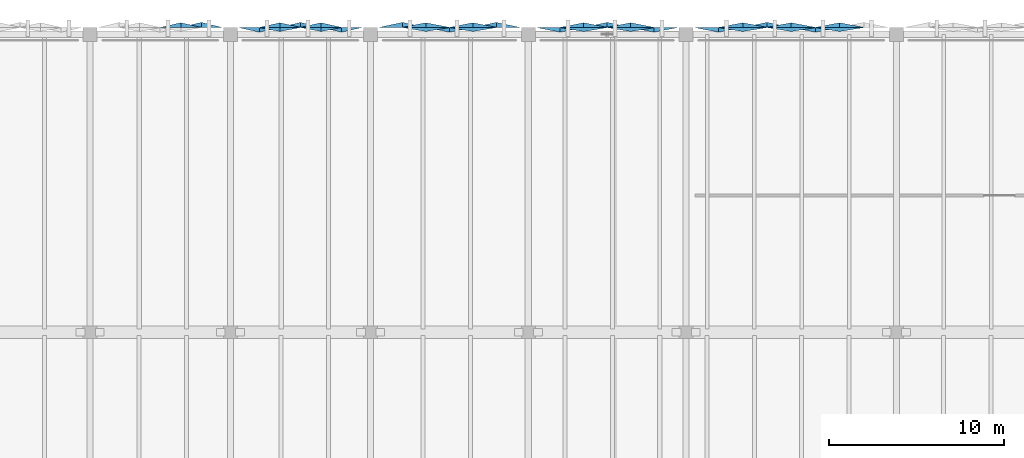
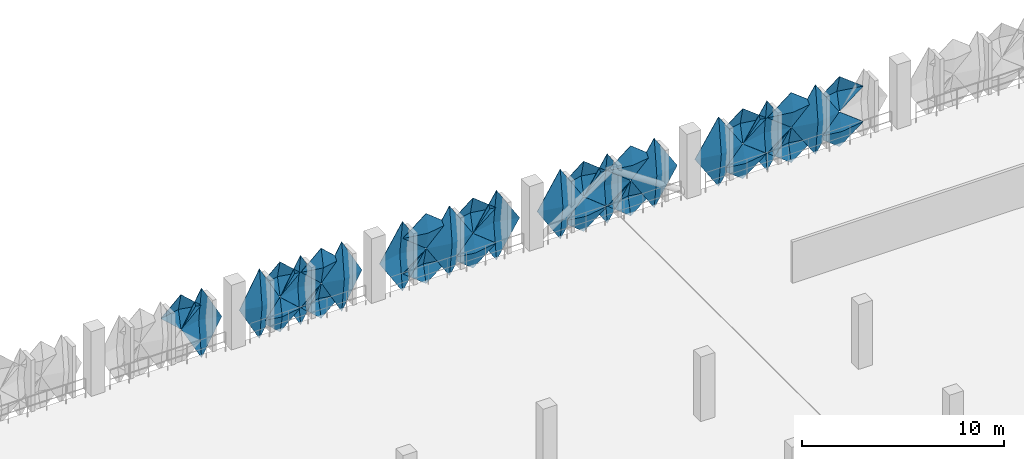
# One storey, part 79 of 96: 32 plates.
"""IFC4 building model written with IfcOpenShell, lengths in metres."""

import ifcopenshell
import ifcopenshell.guid

model = None  # the IFC model being written
_history = None  # IfcOwnerHistory: only IFC2X3 demands one
_inside = {}  # id of a spatial element -> (the spatial element, [elements in it])
_under = {}  # id of a project, library or spatial element -> (it, [spatial elements below it])
_declared = {}  # id of a project -> (the project, [libraries it declares])
_typed = {}  # id of a type object -> (the type object, [elements of that type])
_made_of = {}  # id of a material, layer set ... -> (it, [elements and type objects made of it])


def new_model(schema):
    """Start an empty IFC model of exactly this schema.

    Asked for "IFC4X3", IfcOpenShell would pick the latest addendum, in which some entities
    have other attributes; the version numbers below select the first issue.
    IFC2X3 requires an IfcOwnerHistory on every rooted entity: one is made here for all.
    """
    global model, _history
    if schema == "IFC4X3":
        model = ifcopenshell.file(schema_version=(4, 3, 0, 0))
    else:
        model = ifcopenshell.file(schema=schema)
    _inside.clear()
    _under.clear()
    _declared.clear()
    _typed.clear()
    _made_of.clear()
    _history = None
    if model.schema == "IFC2X3":
        org = make("IfcOrganization", Name="unknown")
        user = make(
            "IfcPersonAndOrganization",
            ThePerson=make("IfcPerson", FamilyName="unknown"),
            TheOrganization=org,
        )
        app = make(
            "IfcApplication",
            ApplicationDeveloper=org,
            Version="unknown",
            ApplicationFullName="unknown",
            ApplicationIdentifier="unknown",
        )
        _history = make(
            "IfcOwnerHistory",
            OwningUser=user,
            OwningApplication=app,
            ChangeAction="ADDED",
            CreationDate=0,
        )
    return model


def make(cls, **values):
    """One entity of the class cls with the attributes given. An attribute that is None is left unset."""
    return model.create_entity(
        cls, **{name: value for name, value in values.items() if value is not None}
    )


def rooted(cls, **values):
    """An entity with a GlobalId (a new one), such as an element, a storey or a relation."""
    return make(cls, GlobalId=ifcopenshell.guid.new(), OwnerHistory=_history, **values)


def si_unit(unit_type, name, prefix=None):
    """IfcSIUnit, for example si_unit("LENGTHUNIT", "METRE", prefix="MILLI")."""
    return make("IfcSIUnit", UnitType=unit_type, Prefix=prefix, Name=name)


def derived_unit(unit_type, elements):
    """IfcDerivedUnit: a product of units, each with its exponent."""
    return make(
        "IfcDerivedUnit",
        Elements=[
            make("IfcDerivedUnitElement", Unit=unit, Exponent=power)
            for unit, power in elements
        ],
        UnitType=unit_type,
    )


def assignment(units):
    """IfcUnitAssignment: the units of a project."""
    return None if units is None else make("IfcUnitAssignment", Units=units)


def point(xyz):
    """IfcCartesianPoint."""
    return None if xyz is None else make("IfcCartesianPoint", Coordinates=xyz)


def direction(xyz):
    """IfcDirection."""
    return None if xyz is None else make("IfcDirection", DirectionRatios=xyz)


def frame(location, z_axis=None, x_axis=None):
    """IfcAxis2Placement3D, a coordinate frame: its origin and axes. An axis left out is left unset."""
    return make(
        "IfcAxis2Placement3D",
        Location=point(location),
        Axis=direction(z_axis),
        RefDirection=direction(x_axis),
    )


def origin():
    """The frame at (0, 0, 0) with its axes left unset."""
    return frame((0.0, 0.0, 0.0))


def place(relative_to, where):
    """IfcLocalPlacement: puts the frame where relative to a parent placement (None: the world)."""
    return make(
        "IfcLocalPlacement", PlacementRelTo=relative_to, RelativePlacement=where
    )


def context(
    kind, dimensions, precision=None, world=None, true_north=None, identifier=None
):
    """IfcGeometricRepresentationContext, for example the 3D "Model" context."""
    return make(
        "IfcGeometricRepresentationContext",
        ContextIdentifier=identifier,
        ContextType=kind,
        CoordinateSpaceDimension=dimensions,
        Precision=precision,
        WorldCoordinateSystem=world,
        TrueNorth=true_north,
    )


def subcontext(parent, identifier, kind, view, scale=None):
    """IfcGeometricRepresentationSubContext, for example "Body" below "Model"."""
    return make(
        "IfcGeometricRepresentationSubContext",
        ContextIdentifier=identifier,
        ContextType=kind,
        ParentContext=parent,
        TargetScale=scale,
        TargetView=view,
    )


def project(units=None, contexts=None):
    """IfcProject with its units and contexts."""
    return rooted(
        "IfcProject",
        Name="project",
        RepresentationContexts=contexts,
        UnitsInContext=assignment(units),
    )


def spatial(cls, under=None, at=None, **own):
    """A site, building, storey or space (cls), placed at a placement, below another one or the project."""
    s = rooted(cls, ObjectPlacement=at, **own)
    if under is not None:
        _under.setdefault(under.id(), (under, []))[1].append(s)
    return s


def point_list(points):
    """IfcCartesianPointList2D or 3D."""
    cls = (
        "IfcCartesianPointList2D" if len(points[0]) == 2 else "IfcCartesianPointList3D"
    )
    return make(cls, CoordList=points)


def polygons(points, faces, closed=None, point_numbers=None):
    """IfcPolygonalFaceSet: a face is its outer loop, then its inner loops; points numbered from 1."""
    made = []
    for loops in faces:
        if len(loops) == 1:
            made.append(make("IfcIndexedPolygonalFace", CoordIndex=loops[0]))
        else:
            made.append(
                make(
                    "IfcIndexedPolygonalFaceWithVoids",
                    CoordIndex=loops[0],
                    InnerCoordIndices=loops[1:],
                )
            )
    return make(
        "IfcPolygonalFaceSet",
        Coordinates=point_list(points),
        Closed=closed,
        Faces=made,
        PnIndex=point_numbers,
    )


def shape(context_of_items, identifier, shape_type, items):
    """IfcShapeRepresentation: the items that make up one representation, for example the "Body"."""
    return make(
        "IfcShapeRepresentation",
        ContextOfItems=context_of_items,
        RepresentationIdentifier=identifier,
        RepresentationType=shape_type,
        Items=items,
    )


def material(Name=None, Category=None):
    """IfcMaterial."""
    return make("IfcMaterial", Name=Name, Category=Category)


def layer(
    of_material, thickness, ventilated=None, Name=None, Category=None, Priority=None
):
    """IfcMaterialLayer: one layer of a wall or slab, of a material (None: an air gap)."""
    return make(
        "IfcMaterialLayer",
        Material=of_material,
        LayerThickness=thickness,
        IsVentilated=ventilated,
        Name=Name,
        Category=Category,
        Priority=Priority,
    )


def layer_set(layers, Name=None):
    """IfcMaterialLayerSet."""
    return make("IfcMaterialLayerSet", MaterialLayers=layers, LayerSetName=Name)


def made_of(thing, what):
    """Note that an element or type object is made of a material, layer set ...; save() writes the relation."""
    if what is not None:
        _made_of.setdefault(what.id(), (what, []))[1].append(thing)
    return thing


def type_object(cls, material=None, **own):
    """A type object (cls), such as IfcWallType, which elements share."""
    return made_of(rooted(cls, **own), material)


def element(
    cls,
    number,
    at=None,
    inside=None,
    cuts=None,
    type_object=None,
    material=None,
    context=None,
    identifier="Body",
    shape_type=None,
    held_by="IfcProductDefinitionShape",
    body=None,
    shapes=None,
    **own,
):
    """One element of the class cls, such as IfcWall. Its Tag is "e" and its number.

    at: its placement. inside: the storey or other place that contains it. cuts: it is an
    opening in that element (IfcRelVoidsElement). A single representation is given by context,
    identifier, shape_type and body (its items); several are given by shapes. held_by: the class
    of the entity that holds the representations. save() writes the other relations.
    """
    e = rooted(cls, Tag="e%d" % number, ObjectPlacement=at, **own)
    if body is not None:
        shapes = [shape(context, identifier, shape_type, body)]
    if shapes is not None:
        e.Representation = make(held_by, Representations=shapes)
    if inside is not None:
        _inside.setdefault(inside.id(), (inside, []))[1].append(e)
    if cuts is not None:
        rooted(
            "IfcRelVoidsElement", RelatingBuildingElement=cuts, RelatedOpeningElement=e
        )
    if type_object is not None:
        _typed.setdefault(type_object.id(), (type_object, []))[1].append(e)
    return made_of(e, material)


def aggregate(whole, parts):
    """IfcRelAggregates: a whole, such as a stair, and the parts it consists of."""
    return rooted("IfcRelAggregates", RelatingObject=whole, RelatedObjects=parts)


def save(model, path):
    """Write the relations noted so far, then the file.

    IfcRelAggregates (storeys below a building ...), IfcRelContainedInSpatialStructure (elements
    in a storey), IfcRelDefinesByType, IfcRelAssociatesMaterial and IfcRelDeclares: one each for
    every whole, place, type object, material and project.
    """
    for whole, parts in _under.values():
        aggregate(whole, parts)
    for where, things in _inside.values():
        rooted(
            "IfcRelContainedInSpatialStructure",
            RelatedElements=things,
            RelatingStructure=where,
        )
    for kind, things in _typed.values():
        rooted("IfcRelDefinesByType", RelatedObjects=things, RelatingType=kind)
    for what, things in _made_of.values():
        rooted("IfcRelAssociatesMaterial", RelatedObjects=things, RelatingMaterial=what)
    for by, libraries in _declared.values():
        rooted("IfcRelDeclares", RelatingContext=by, RelatedDefinitions=libraries)
    model.write(path)


model = new_model("IFC4")

# Units and contexts
model_context = context("Model", 3, precision=1e-05, world=origin(), true_north=direction((0.0, 1.0)))
body_context = subcontext(model_context, "Body", "Model", "MODEL_VIEW")
ifc_project = project(units=[si_unit("LENGTHUNIT", "METRE"), si_unit("AREAUNIT", "SQUARE_METRE"), si_unit("VOLUMEUNIT", "CUBIC_METRE"), si_unit("PLANEANGLEUNIT", "RADIAN"), si_unit("MASSUNIT", "GRAM", prefix="KILO"), si_unit("THERMODYNAMICTEMPERATUREUNIT", "KELVIN"), derived_unit("THERMALTRANSMITTANCEUNIT", [(si_unit("POWERUNIT", "WATT"), 1), (si_unit("AREAUNIT", "SQUARE_METRE"), -1), (si_unit("THERMODYNAMICTEMPERATUREUNIT", "KELVIN"), -1)])], contexts=[model_context])

# Site, building, storey
site_placement = place(None, origin())
site = spatial("IfcSite", under=ifc_project, at=site_placement, CompositionType="ELEMENT")
building_placement = place(site_placement, origin())
building = spatial("IfcBuilding", under=site, at=building_placement, Name="Haiyu Intermodal Mobility Hub", CompositionType="ELEMENT")
storey_placement = place(building_placement, frame((0.0, 0.0, 9.5)))
storey = spatial("IfcBuildingStorey", under=building, at=storey_placement, Name="L02", CompositionType="ELEMENT", Elevation=9.5)

# Plates
ifc_material = material(Name="Anodised aluminium 6063-T6", Category="aluminium")
ifc_layer_1 = layer(ifc_material, 0.01806640625)
ifc_layer_set_1 = layer_set([ifc_layer_1], Name="Anodised aluminium 6063-T6")
plate_type_1 = type_object("IfcPlateType", Name="PLT-FC01", PredefinedType="USERDEFINED", material=ifc_layer_set_1)
plate_1_placement = place(storey_placement, origin())
element("IfcPlate", 1, at=plate_1_placement, inside=storey, type_object=plate_type_1, Name="PLT-PYR-0224", ObjectType="FACADE CASSETTE", PredefinedType="USERDEFINED", context=body_context, shape_type="Tessellation", body=[
    polygons([(79.820068359375, 148.39990234375, -0.510009765625), (78.5, 148.39990234375, 1.60009765625), (79.820068359375, 148.39990234375, 3.7099609375), (81.139892578125, 148.39990234375, 1.60009765625), (79.820068359375, 148.679931640625, 1.60009765625), (79.820068359375, 148.3779296875, -0.510009765625), (78.5, 148.3779296875, 1.60009765625), (79.820068359375, 148.3779296875, 3.7099609375), (81.139892578125, 148.3779296875, 1.60009765625), (79.820068359375, 148.657958984375, 1.60009765625)], [[[1, 2, 5]], [[2, 3, 5]], [[3, 4, 5]], [[4, 1, 5]], [[7, 6, 10]], [[8, 7, 10]], [[9, 8, 10]], [[6, 9, 10]], [[1, 6, 7, 2]], [[2, 7, 8, 3]], [[3, 8, 9, 4]], [[4, 9, 6, 1]]], closed=True),
])
plate_2_placement = place(storey_placement, origin())
element("IfcPlate", 2, at=plate_2_placement, inside=storey, type_object=plate_type_1, Name="PLT-PYR-0297", ObjectType="FACADE CASSETTE", PredefinedType="USERDEFINED", context=body_context, shape_type="Tessellation", body=[
    polygons([(100.6201171875, 148.39990234375, -0.510009765625), (99.260009765625, 148.39990234375, 1.60009765625), (100.6201171875, 148.39990234375, 3.7099609375), (101.97998046875, 148.39990234375, 1.60009765625), (100.6201171875, 148.679931640625, 1.60009765625), (100.6201171875, 148.3779296875, -0.510009765625), (99.260009765625, 148.3779296875, 1.60009765625), (100.6201171875, 148.3779296875, 3.7099609375), (101.97998046875, 148.3779296875, 1.60009765625), (100.6201171875, 148.657958984375, 1.60009765625)], [[[1, 2, 5]], [[2, 3, 5]], [[3, 4, 5]], [[4, 1, 5]], [[7, 6, 10]], [[8, 7, 10]], [[9, 8, 10]], [[6, 9, 10]], [[1, 6, 7, 2]], [[2, 7, 8, 3]], [[3, 8, 9, 4]], [[4, 9, 6, 1]]], closed=True),
])
ifc_layer_2 = layer(ifc_material, 0.02001953125)
ifc_layer_set_2 = layer_set([ifc_layer_2], Name="Anodised aluminium 6063-T6")
plate_type_2 = type_object("IfcPlateType", Name="PLT-FC02", PredefinedType="USERDEFINED", material=ifc_layer_set_2)
plate_3_placement = place(storey_placement, origin())
element("IfcPlate", 3, at=plate_3_placement, inside=storey, type_object=plate_type_2, Name="PLT-PYR-0189", ObjectType="FACADE CASSETTE", PredefinedType="USERDEFINED", context=body_context, shape_type="Tessellation", body=[
    polygons([(71.653076171875, 148.39990234375, -0.510009765625), (70.5, 148.39990234375, 1.60009765625), (71.653076171875, 148.39990234375, 3.7099609375), (72.806884765625, 148.39990234375, 1.60009765625), (71.653076171875, 148.139892578125, 1.60009765625), (71.653076171875, 148.3779296875, -0.510009765625), (70.5, 148.3779296875, 1.60009765625), (71.653076171875, 148.3779296875, 3.7099609375), (72.806884765625, 148.3779296875, 1.60009765625), (71.653076171875, 148.117919921875, 1.60009765625)], [[[1, 2, 5]], [[2, 3, 5]], [[3, 4, 5]], [[4, 1, 5]], [[7, 6, 10]], [[8, 7, 10]], [[9, 8, 10]], [[6, 9, 10]], [[1, 6, 7, 2]], [[2, 7, 8, 3]], [[3, 8, 9, 4]], [[4, 9, 6, 1]]], closed=True),
])
plate_4_placement = place(storey_placement, origin())
element("IfcPlate", 4, at=plate_4_placement, inside=storey, type_object=plate_type_2, Name="PLT-PYR-0259", ObjectType="FACADE CASSETTE", PredefinedType="USERDEFINED", context=body_context, shape_type="Tessellation", body=[
    polygons([(88.820068359375, 148.39990234375, -0.510009765625), (87.5, 148.39990234375, 1.60009765625), (88.820068359375, 148.39990234375, 3.7099609375), (90.139892578125, 148.39990234375, 1.60009765625), (88.820068359375, 148.139892578125, 1.60009765625), (88.820068359375, 148.3779296875, -0.510009765625), (87.5, 148.3779296875, 1.60009765625), (88.820068359375, 148.3779296875, 3.7099609375), (90.139892578125, 148.3779296875, 1.60009765625), (88.820068359375, 148.117919921875, 1.60009765625)], [[[1, 2, 5]], [[2, 3, 5]], [[3, 4, 5]], [[4, 1, 5]], [[7, 6, 10]], [[8, 7, 10]], [[9, 8, 10]], [[6, 9, 10]], [[1, 6, 7, 2]], [[2, 7, 8, 3]], [[3, 8, 9, 4]], [[4, 9, 6, 1]]], closed=True),
])
ifc_layer_3 = layer(ifc_material, 0.02001953125)
ifc_layer_set_3 = layer_set([ifc_layer_3], Name="Anodised aluminium 6063-T6")
plate_type_3 = type_object("IfcPlateType", Name="PLT-FC04", PredefinedType="USERDEFINED", material=ifc_layer_set_3)
plate_5_placement = place(storey_placement, origin())
element("IfcPlate", 5, at=plate_5_placement, inside=storey, type_object=plate_type_3, Name="PLT-PYR-0300", ObjectType="FACADE CASSETTE", PredefinedType="USERDEFINED", context=body_context, shape_type="Tessellation", body=[
    polygons([(97.860107421875, 148.39990234375, -0.510009765625), (96.5, 148.39990234375, 1.60009765625), (97.860107421875, 148.39990234375, 3.7099609375), (99.219970703125, 148.39990234375, 1.60009765625), (97.860107421875, 148.139892578125, 1.60009765625), (97.860107421875, 148.3779296875, -0.510009765625), (96.5, 148.3779296875, 1.60009765625), (97.860107421875, 148.3779296875, 3.7099609375), (99.219970703125, 148.3779296875, 1.60009765625), (97.860107421875, 148.117919921875, 1.60009765625)], [[[1, 2, 5]], [[2, 3, 5]], [[3, 4, 5]], [[4, 1, 5]], [[7, 6, 10]], [[8, 7, 10]], [[9, 8, 10]], [[6, 9, 10]], [[1, 6, 7, 2]], [[2, 7, 8, 3]], [[3, 8, 9, 4]], [[4, 9, 6, 1]]], closed=True),
])
ifc_layer_4 = layer(ifc_material, 0.01806640625)
ifc_layer_set_4 = layer_set([ifc_layer_4], Name="Anodised aluminium 6063-T6")
plate_type_4 = type_object("IfcPlateType", Name="PLT-FC05", PredefinedType="USERDEFINED", material=ifc_layer_set_4)
plate_6_placement = place(storey_placement, origin())
element("IfcPlate", 6, at=plate_6_placement, inside=storey, type_object=plate_type_4, Name="PLT-PYR-0148", ObjectType="FACADE CASSETTE", PredefinedType="USERDEFINED", context=body_context, shape_type="Tessellation", body=[
    polygons([(68.346923828125, 148.39990234375, -0.510009765625), (67.193115234375, 148.39990234375, 1.60009765625), (68.346923828125, 148.39990234375, 3.7099609375), (69.5, 148.39990234375, 1.60009765625), (68.346923828125, 148.679931640625, 1.60009765625), (68.346923828125, 148.3779296875, -0.510009765625), (67.193115234375, 148.3779296875, 1.60009765625), (68.346923828125, 148.3779296875, 3.7099609375), (69.5, 148.3779296875, 1.60009765625), (68.346923828125, 148.657958984375, 1.60009765625)], [[[1, 2, 5]], [[2, 3, 5]], [[3, 4, 5]], [[4, 1, 5]], [[7, 6, 10]], [[8, 7, 10]], [[9, 8, 10]], [[6, 9, 10]], [[1, 6, 7, 2]], [[2, 7, 8, 3]], [[3, 8, 9, 4]], [[4, 9, 6, 1]]], closed=True),
])
plate_7_placement = place(storey_placement, origin())
element("IfcPlate", 7, at=plate_7_placement, inside=storey, type_object=plate_type_4, Name="PLT-PYR-0184", ObjectType="FACADE CASSETTE", PredefinedType="USERDEFINED", context=body_context, shape_type="Tessellation", body=[
    polygons([(75.173095703125, 148.39990234375, -0.52001953125), (74.02001953125, 148.39990234375, 0.530029296875), (75.173095703125, 148.39990234375, 1.580078125), (76.326904296875, 148.39990234375, 0.530029296875), (75.173095703125, 148.659912109375, 0.530029296875), (75.173095703125, 148.3779296875, -0.52001953125), (74.02001953125, 148.3779296875, 0.530029296875), (75.173095703125, 148.3779296875, 1.580078125), (76.326904296875, 148.3779296875, 0.530029296875), (75.173095703125, 148.637939453125, 0.530029296875)], [[[1, 2, 5]], [[2, 3, 5]], [[3, 4, 5]], [[4, 1, 5]], [[7, 6, 10]], [[8, 7, 10]], [[9, 8, 10]], [[6, 9, 10]], [[1, 6, 7, 2]], [[2, 7, 8, 3]], [[3, 8, 9, 4]], [[4, 9, 6, 1]]], closed=True),
])
plate_8_placement = place(storey_placement, origin())
element("IfcPlate", 8, at=plate_8_placement, inside=storey, type_object=plate_type_4, Name="PLT-PYR-0218", ObjectType="FACADE CASSETTE", PredefinedType="USERDEFINED", context=body_context, shape_type="Tessellation", body=[
    polygons([(85.179931640625, 148.39990234375, -0.510009765625), (83.860107421875, 148.39990234375, 1.60009765625), (85.179931640625, 148.39990234375, 3.7099609375), (86.5, 148.39990234375, 1.60009765625), (85.179931640625, 148.679931640625, 1.60009765625), (85.179931640625, 148.3779296875, -0.510009765625), (83.860107421875, 148.3779296875, 1.60009765625), (85.179931640625, 148.3779296875, 3.7099609375), (86.5, 148.3779296875, 1.60009765625), (85.179931640625, 148.657958984375, 1.60009765625)], [[[1, 2, 5]], [[2, 3, 5]], [[3, 4, 5]], [[4, 1, 5]], [[7, 6, 10]], [[8, 7, 10]], [[9, 8, 10]], [[6, 9, 10]], [[1, 6, 7, 2]], [[2, 7, 8, 3]], [[3, 8, 9, 4]], [[4, 9, 6, 1]]], closed=True),
])
plate_9_placement = place(storey_placement, origin())
element("IfcPlate", 9, at=plate_9_placement, inside=storey, type_object=plate_type_4, Name="PLT-PYR-0222", ObjectType="FACADE CASSETTE", PredefinedType="USERDEFINED", context=body_context, shape_type="Tessellation", body=[
    polygons([(81.159912109375, 148.39990234375, -0.52001953125), (79.840087890625, 148.39990234375, 0.530029296875), (81.159912109375, 148.39990234375, 1.580078125), (82.47998046875, 148.39990234375, 0.530029296875), (81.159912109375, 148.659912109375, 0.530029296875), (81.159912109375, 148.3779296875, -0.52001953125), (79.840087890625, 148.3779296875, 0.530029296875), (81.159912109375, 148.3779296875, 1.580078125), (82.47998046875, 148.3779296875, 0.530029296875), (81.159912109375, 148.637939453125, 0.530029296875)], [[[1, 2, 5]], [[2, 3, 5]], [[3, 4, 5]], [[4, 1, 5]], [[7, 6, 10]], [[8, 7, 10]], [[9, 8, 10]], [[6, 9, 10]], [[1, 6, 7, 2]], [[2, 7, 8, 3]], [[3, 8, 9, 4]], [[4, 9, 6, 1]]], closed=True),
])
plate_10_placement = place(storey_placement, origin())
element("IfcPlate", 10, at=plate_10_placement, inside=storey, type_object=plate_type_4, Name="PLT-PYR-0254", ObjectType="FACADE CASSETTE", PredefinedType="USERDEFINED", context=body_context, shape_type="Tessellation", body=[
    polygons([(92.840087890625, 148.39990234375, -0.52001953125), (91.52001953125, 148.39990234375, 0.530029296875), (92.840087890625, 148.39990234375, 1.580078125), (94.159912109375, 148.39990234375, 0.530029296875), (92.840087890625, 148.659912109375, 0.530029296875), (92.840087890625, 148.3779296875, -0.52001953125), (91.52001953125, 148.3779296875, 0.530029296875), (92.840087890625, 148.3779296875, 1.580078125), (94.159912109375, 148.3779296875, 0.530029296875), (92.840087890625, 148.637939453125, 0.530029296875)], [[[1, 2, 5]], [[2, 3, 5]], [[3, 4, 5]], [[4, 1, 5]], [[7, 6, 10]], [[8, 7, 10]], [[9, 8, 10]], [[6, 9, 10]], [[1, 6, 7, 2]], [[2, 7, 8, 3]], [[3, 8, 9, 4]], [[4, 9, 6, 1]]], closed=True),
])
plate_11_placement = place(storey_placement, origin())
element("IfcPlate", 11, at=plate_11_placement, inside=storey, type_object=plate_type_4, Name="PLT-PYR-0295", ObjectType="FACADE CASSETTE", PredefinedType="USERDEFINED", context=body_context, shape_type="Tessellation", body=[
    polygons([(102.0, 148.39990234375, -0.52001953125), (100.639892578125, 148.39990234375, 0.530029296875), (102.0, 148.39990234375, 1.580078125), (103.360107421875, 148.39990234375, 0.530029296875), (102.0, 148.659912109375, 0.530029296875), (102.0, 148.3779296875, -0.52001953125), (100.639892578125, 148.3779296875, 0.530029296875), (102.0, 148.3779296875, 1.580078125), (103.360107421875, 148.3779296875, 0.530029296875), (102.0, 148.637939453125, 0.530029296875)], [[[1, 2, 5]], [[2, 3, 5]], [[3, 4, 5]], [[4, 1, 5]], [[7, 6, 10]], [[8, 7, 10]], [[9, 8, 10]], [[6, 9, 10]], [[1, 6, 7, 2]], [[2, 7, 8, 3]], [[3, 8, 9, 4]], [[4, 9, 6, 1]]], closed=True),
])
ifc_layer_5 = layer(ifc_material, 0.02001953125)
ifc_layer_set_5 = layer_set([ifc_layer_5], Name="Anodised aluminium 6063-T6")
plate_type_5 = type_object("IfcPlateType", Name="PLT-FC06", PredefinedType="USERDEFINED", material=ifc_layer_set_5)
plate_12_placement = place(storey_placement, origin())
element("IfcPlate", 12, at=plate_12_placement, inside=storey, type_object=plate_type_5, Name="PLT-PYR-0183", ObjectType="FACADE CASSETTE", PredefinedType="USERDEFINED", context=body_context, shape_type="Tessellation", body=[
    polygons([(76.346923828125, 148.39990234375, -0.510009765625), (75.193115234375, 148.39990234375, 1.60009765625), (76.346923828125, 148.39990234375, 3.7099609375), (77.5, 148.39990234375, 1.60009765625), (76.346923828125, 148.139892578125, 1.60009765625), (76.346923828125, 148.3779296875, -0.510009765625), (75.193115234375, 148.3779296875, 1.60009765625), (76.346923828125, 148.3779296875, 3.7099609375), (77.5, 148.3779296875, 1.60009765625), (76.346923828125, 148.117919921875, 1.60009765625)], [[[1, 2, 5]], [[2, 3, 5]], [[3, 4, 5]], [[4, 1, 5]], [[7, 6, 10]], [[8, 7, 10]], [[9, 8, 10]], [[6, 9, 10]], [[1, 6, 7, 2]], [[2, 7, 8, 3]], [[3, 8, 9, 4]], [[4, 9, 6, 1]]], closed=True),
])
plate_13_placement = place(storey_placement, origin())
element("IfcPlate", 13, at=plate_13_placement, inside=storey, type_object=plate_type_5, Name="PLT-PYR-0187", ObjectType="FACADE CASSETTE", PredefinedType="USERDEFINED", context=body_context, shape_type="Tessellation", body=[
    polygons([(72.826904296875, 148.39990234375, -0.52001953125), (71.673095703125, 148.39990234375, 0.530029296875), (72.826904296875, 148.39990234375, 1.580078125), (73.97998046875, 148.39990234375, 0.530029296875), (72.826904296875, 148.179931640625, 0.530029296875), (72.826904296875, 148.3779296875, -0.52001953125), (71.673095703125, 148.3779296875, 0.530029296875), (72.826904296875, 148.3779296875, 1.580078125), (73.97998046875, 148.3779296875, 0.530029296875), (72.826904296875, 148.157958984375, 0.530029296875)], [[[1, 2, 5]], [[2, 3, 5]], [[3, 4, 5]], [[4, 1, 5]], [[7, 6, 10]], [[8, 7, 10]], [[9, 8, 10]], [[6, 9, 10]], [[1, 6, 7, 2]], [[2, 7, 8, 3]], [[3, 8, 9, 4]], [[4, 9, 6, 1]]], closed=True),
])
plate_14_placement = place(storey_placement, origin())
element("IfcPlate", 14, at=plate_14_placement, inside=storey, type_object=plate_type_5, Name="PLT-PYR-0219", ObjectType="FACADE CASSETTE", PredefinedType="USERDEFINED", context=body_context, shape_type="Tessellation", body=[
    polygons([(83.840087890625, 148.39990234375, -0.52001953125), (82.52001953125, 148.39990234375, 0.530029296875), (83.840087890625, 148.39990234375, 1.580078125), (85.159912109375, 148.39990234375, 0.530029296875), (83.840087890625, 148.179931640625, 0.530029296875), (83.840087890625, 148.3779296875, -0.52001953125), (82.52001953125, 148.3779296875, 0.530029296875), (83.840087890625, 148.3779296875, 1.580078125), (85.159912109375, 148.3779296875, 0.530029296875), (83.840087890625, 148.157958984375, 0.530029296875)], [[[1, 2, 5]], [[2, 3, 5]], [[3, 4, 5]], [[4, 1, 5]], [[7, 6, 10]], [[8, 7, 10]], [[9, 8, 10]], [[6, 9, 10]], [[1, 6, 7, 2]], [[2, 7, 8, 3]], [[3, 8, 9, 4]], [[4, 9, 6, 1]]], closed=True),
])
plate_15_placement = place(storey_placement, origin())
element("IfcPlate", 15, at=plate_15_placement, inside=storey, type_object=plate_type_5, Name="PLT-PYR-0253", ObjectType="FACADE CASSETTE", PredefinedType="USERDEFINED", context=body_context, shape_type="Tessellation", body=[
    polygons([(94.179931640625, 148.39990234375, -0.510009765625), (92.860107421875, 148.39990234375, 1.60009765625), (94.179931640625, 148.39990234375, 3.7099609375), (95.5, 148.39990234375, 1.60009765625), (94.179931640625, 148.139892578125, 1.60009765625), (94.179931640625, 148.3779296875, -0.510009765625), (92.860107421875, 148.3779296875, 1.60009765625), (94.179931640625, 148.3779296875, 3.7099609375), (95.5, 148.3779296875, 1.60009765625), (94.179931640625, 148.117919921875, 1.60009765625)], [[[1, 2, 5]], [[2, 3, 5]], [[3, 4, 5]], [[4, 1, 5]], [[7, 6, 10]], [[8, 7, 10]], [[9, 8, 10]], [[6, 9, 10]], [[1, 6, 7, 2]], [[2, 7, 8, 3]], [[3, 8, 9, 4]], [[4, 9, 6, 1]]], closed=True),
])
plate_16_placement = place(storey_placement, origin())
element("IfcPlate", 16, at=plate_16_placement, inside=storey, type_object=plate_type_5, Name="PLT-PYR-0257", ObjectType="FACADE CASSETTE", PredefinedType="USERDEFINED", context=body_context, shape_type="Tessellation", body=[
    polygons([(90.159912109375, 148.39990234375, -0.52001953125), (88.840087890625, 148.39990234375, 0.530029296875), (90.159912109375, 148.39990234375, 1.580078125), (91.47998046875, 148.39990234375, 0.530029296875), (90.159912109375, 148.179931640625, 0.530029296875), (90.159912109375, 148.3779296875, -0.52001953125), (88.840087890625, 148.3779296875, 0.530029296875), (90.159912109375, 148.3779296875, 1.580078125), (91.47998046875, 148.3779296875, 0.530029296875), (90.159912109375, 148.157958984375, 0.530029296875)], [[[1, 2, 5]], [[2, 3, 5]], [[3, 4, 5]], [[4, 1, 5]], [[7, 6, 10]], [[8, 7, 10]], [[9, 8, 10]], [[6, 9, 10]], [[1, 6, 7, 2]], [[2, 7, 8, 3]], [[3, 8, 9, 4]], [[4, 9, 6, 1]]], closed=True),
])
plate_17_placement = place(storey_placement, origin())
element("IfcPlate", 17, at=plate_17_placement, inside=storey, type_object=plate_type_5, Name="PLT-PYR-0292", ObjectType="FACADE CASSETTE", PredefinedType="USERDEFINED", context=body_context, shape_type="Tessellation", body=[
    polygons([(104.760009765625, 148.39990234375, -0.52001953125), (103.39990234375, 148.39990234375, 0.530029296875), (104.760009765625, 148.39990234375, 1.580078125), (106.1201171875, 148.39990234375, 0.530029296875), (104.760009765625, 148.179931640625, 0.530029296875), (104.760009765625, 148.3779296875, -0.52001953125), (103.39990234375, 148.3779296875, 0.530029296875), (104.760009765625, 148.3779296875, 1.580078125), (106.1201171875, 148.3779296875, 0.530029296875), (104.760009765625, 148.157958984375, 0.530029296875)], [[[1, 2, 5]], [[2, 3, 5]], [[3, 4, 5]], [[4, 1, 5]], [[7, 6, 10]], [[8, 7, 10]], [[9, 8, 10]], [[6, 9, 10]], [[1, 6, 7, 2]], [[2, 7, 8, 3]], [[3, 8, 9, 4]], [[4, 9, 6, 1]]], closed=True),
])
plate_18_placement = place(storey_placement, origin())
element("IfcPlate", 18, at=plate_18_placement, inside=storey, type_object=plate_type_5, Name="PLT-PYR-0298", ObjectType="FACADE CASSETTE", PredefinedType="USERDEFINED", context=body_context, shape_type="Tessellation", body=[
    polygons([(99.239990234375, 148.39990234375, -0.52001953125), (97.8798828125, 148.39990234375, 0.530029296875), (99.239990234375, 148.39990234375, 1.580078125), (100.60009765625, 148.39990234375, 0.530029296875), (99.239990234375, 148.179931640625, 0.530029296875), (99.239990234375, 148.3779296875, -0.52001953125), (97.8798828125, 148.3779296875, 0.530029296875), (99.239990234375, 148.3779296875, 1.580078125), (100.60009765625, 148.3779296875, 0.530029296875), (99.239990234375, 148.157958984375, 0.530029296875)], [[[1, 2, 5]], [[2, 3, 5]], [[3, 4, 5]], [[4, 1, 5]], [[7, 6, 10]], [[8, 7, 10]], [[9, 8, 10]], [[6, 9, 10]], [[1, 6, 7, 2]], [[2, 7, 8, 3]], [[3, 8, 9, 4]], [[4, 9, 6, 1]]], closed=True),
])
ifc_layer_6 = layer(ifc_material, 0.02197265625)
ifc_layer_set_6 = layer_set([ifc_layer_6], Name="Anodised aluminium 6063-T6")
plate_type_6 = type_object("IfcPlateType", Name="PLT-FC07", PredefinedType="USERDEFINED", material=ifc_layer_set_6)
plate_19_placement = place(storey_placement, origin())
element("IfcPlate", 19, at=plate_19_placement, inside=storey, type_object=plate_type_6, Name="PLT-PYR-0150", ObjectType="FACADE CASSETTE", PredefinedType="USERDEFINED", context=body_context, shape_type="Tessellation", body=[
    polygons([(67.173095703125, 148.39990234375, 1.6201171875), (66.02001953125, 148.39990234375, 2.669921875), (67.173095703125, 148.39990234375, 3.719970703125), (68.326904296875, 148.39990234375, 2.669921875), (67.173095703125, 148.659912109375, 2.669921875), (67.173095703125, 148.3779296875, 1.6201171875), (66.02001953125, 148.3779296875, 2.669921875), (67.173095703125, 148.3779296875, 3.719970703125), (68.326904296875, 148.3779296875, 2.669921875), (67.173095703125, 148.637939453125, 2.669921875)], [[[1, 2, 5]], [[2, 3, 5]], [[3, 4, 5]], [[4, 1, 5]], [[7, 6, 10]], [[8, 7, 10]], [[9, 8, 10]], [[6, 9, 10]], [[1, 6, 7, 2]], [[2, 7, 8, 3]], [[3, 8, 9, 4]], [[4, 9, 6, 1]]], closed=True),
])
plate_20_placement = place(storey_placement, origin())
element("IfcPlate", 20, at=plate_20_placement, inside=storey, type_object=plate_type_6, Name="PLT-PYR-0186", ObjectType="FACADE CASSETTE", PredefinedType="USERDEFINED", context=body_context, shape_type="Tessellation", body=[
    polygons([(74.0, 148.39990234375, -0.510009765625), (72.846923828125, 148.39990234375, 1.60009765625), (74.0, 148.39990234375, 3.7099609375), (75.153076171875, 148.39990234375, 1.60009765625), (74.0, 148.679931640625, 1.60009765625), (74.0, 148.3779296875, -0.510009765625), (72.846923828125, 148.3779296875, 1.60009765625), (74.0, 148.3779296875, 3.7099609375), (75.153076171875, 148.3779296875, 1.60009765625), (74.0, 148.657958984375, 1.60009765625)], [[[1, 2, 5]], [[2, 3, 5]], [[3, 4, 5]], [[4, 1, 5]], [[7, 6, 10]], [[8, 7, 10]], [[9, 8, 10]], [[6, 9, 10]], [[1, 6, 7, 2]], [[2, 7, 8, 3]], [[3, 8, 9, 4]], [[4, 9, 6, 1]]], closed=True),
])
plate_21_placement = place(storey_placement, origin())
element("IfcPlate", 21, at=plate_21_placement, inside=storey, type_object=plate_type_6, Name="PLT-PYR-0188", ObjectType="FACADE CASSETTE", PredefinedType="USERDEFINED", context=body_context, shape_type="Tessellation", body=[
    polygons([(72.826904296875, 148.39990234375, 1.6201171875), (71.673095703125, 148.39990234375, 2.669921875), (72.826904296875, 148.39990234375, 3.719970703125), (73.97998046875, 148.39990234375, 2.669921875), (72.826904296875, 148.659912109375, 2.669921875), (72.826904296875, 148.3779296875, 1.6201171875), (71.673095703125, 148.3779296875, 2.669921875), (72.826904296875, 148.3779296875, 3.719970703125), (73.97998046875, 148.3779296875, 2.669921875), (72.826904296875, 148.637939453125, 2.669921875)], [[[1, 2, 5]], [[2, 3, 5]], [[3, 4, 5]], [[4, 1, 5]], [[7, 6, 10]], [[8, 7, 10]], [[9, 8, 10]], [[6, 9, 10]], [[1, 6, 7, 2]], [[2, 7, 8, 3]], [[3, 8, 9, 4]], [[4, 9, 6, 1]]], closed=True),
])
plate_22_placement = place(storey_placement, origin())
element("IfcPlate", 22, at=plate_22_placement, inside=storey, type_object=plate_type_6, Name="PLT-PYR-0220", ObjectType="FACADE CASSETTE", PredefinedType="USERDEFINED", context=body_context, shape_type="Tessellation", body=[
    polygons([(83.840087890625, 148.39990234375, 1.6201171875), (82.52001953125, 148.39990234375, 2.669921875), (83.840087890625, 148.39990234375, 3.719970703125), (85.159912109375, 148.39990234375, 2.669921875), (83.840087890625, 148.659912109375, 2.669921875), (83.840087890625, 148.3779296875, 1.6201171875), (82.52001953125, 148.3779296875, 2.669921875), (83.840087890625, 148.3779296875, 3.719970703125), (85.159912109375, 148.3779296875, 2.669921875), (83.840087890625, 148.637939453125, 2.669921875)], [[[1, 2, 5]], [[2, 3, 5]], [[3, 4, 5]], [[4, 1, 5]], [[7, 6, 10]], [[8, 7, 10]], [[9, 8, 10]], [[6, 9, 10]], [[1, 6, 7, 2]], [[2, 7, 8, 3]], [[3, 8, 9, 4]], [[4, 9, 6, 1]]], closed=True),
])
plate_23_placement = place(storey_placement, origin())
element("IfcPlate", 23, at=plate_23_placement, inside=storey, type_object=plate_type_6, Name="PLT-PYR-0256", ObjectType="FACADE CASSETTE", PredefinedType="USERDEFINED", context=body_context, shape_type="Tessellation", body=[
    polygons([(91.5, 148.39990234375, -0.510009765625), (90.179931640625, 148.39990234375, 1.60009765625), (91.5, 148.39990234375, 3.7099609375), (92.820068359375, 148.39990234375, 1.60009765625), (91.5, 148.679931640625, 1.60009765625), (91.5, 148.3779296875, -0.510009765625), (90.179931640625, 148.3779296875, 1.60009765625), (91.5, 148.3779296875, 3.7099609375), (92.820068359375, 148.3779296875, 1.60009765625), (91.5, 148.657958984375, 1.60009765625)], [[[1, 2, 5]], [[2, 3, 5]], [[3, 4, 5]], [[4, 1, 5]], [[7, 6, 10]], [[8, 7, 10]], [[9, 8, 10]], [[6, 9, 10]], [[1, 6, 7, 2]], [[2, 7, 8, 3]], [[3, 8, 9, 4]], [[4, 9, 6, 1]]], closed=True),
])
plate_24_placement = place(storey_placement, origin())
element("IfcPlate", 24, at=plate_24_placement, inside=storey, type_object=plate_type_6, Name="PLT-PYR-0258", ObjectType="FACADE CASSETTE", PredefinedType="USERDEFINED", context=body_context, shape_type="Tessellation", body=[
    polygons([(90.159912109375, 148.39990234375, 1.6201171875), (88.840087890625, 148.39990234375, 2.669921875), (90.159912109375, 148.39990234375, 3.719970703125), (91.47998046875, 148.39990234375, 2.669921875), (90.159912109375, 148.659912109375, 2.669921875), (90.159912109375, 148.3779296875, 1.6201171875), (88.840087890625, 148.3779296875, 2.669921875), (90.159912109375, 148.3779296875, 3.719970703125), (91.47998046875, 148.3779296875, 2.669921875), (90.159912109375, 148.637939453125, 2.669921875)], [[[1, 2, 5]], [[2, 3, 5]], [[3, 4, 5]], [[4, 1, 5]], [[7, 6, 10]], [[8, 7, 10]], [[9, 8, 10]], [[6, 9, 10]], [[1, 6, 7, 2]], [[2, 7, 8, 3]], [[3, 8, 9, 4]], [[4, 9, 6, 1]]], closed=True),
])
plate_25_placement = place(storey_placement, origin())
element("IfcPlate", 25, at=plate_25_placement, inside=storey, type_object=plate_type_6, Name="PLT-PYR-0293", ObjectType="FACADE CASSETTE", PredefinedType="USERDEFINED", context=body_context, shape_type="Tessellation", body=[
    polygons([(104.760009765625, 148.39990234375, 1.6201171875), (103.39990234375, 148.39990234375, 2.669921875), (104.760009765625, 148.39990234375, 3.719970703125), (106.1201171875, 148.39990234375, 2.669921875), (104.760009765625, 148.659912109375, 2.669921875), (104.760009765625, 148.3779296875, 1.6201171875), (103.39990234375, 148.3779296875, 2.669921875), (104.760009765625, 148.3779296875, 3.719970703125), (106.1201171875, 148.3779296875, 2.669921875), (104.760009765625, 148.637939453125, 2.669921875)], [[[1, 2, 5]], [[2, 3, 5]], [[3, 4, 5]], [[4, 1, 5]], [[7, 6, 10]], [[8, 7, 10]], [[9, 8, 10]], [[6, 9, 10]], [[1, 6, 7, 2]], [[2, 7, 8, 3]], [[3, 8, 9, 4]], [[4, 9, 6, 1]]], closed=True),
])
plate_26_placement = place(storey_placement, origin())
element("IfcPlate", 26, at=plate_26_placement, inside=storey, type_object=plate_type_6, Name="PLT-PYR-0299", ObjectType="FACADE CASSETTE", PredefinedType="USERDEFINED", context=body_context, shape_type="Tessellation", body=[
    polygons([(99.239990234375, 148.39990234375, 1.6201171875), (97.8798828125, 148.39990234375, 2.669921875), (99.239990234375, 148.39990234375, 3.719970703125), (100.60009765625, 148.39990234375, 2.669921875), (99.239990234375, 148.659912109375, 2.669921875), (99.239990234375, 148.3779296875, 1.6201171875), (97.8798828125, 148.3779296875, 2.669921875), (99.239990234375, 148.3779296875, 3.719970703125), (100.60009765625, 148.3779296875, 2.669921875), (99.239990234375, 148.637939453125, 2.669921875)], [[[1, 2, 5]], [[2, 3, 5]], [[3, 4, 5]], [[4, 1, 5]], [[7, 6, 10]], [[8, 7, 10]], [[9, 8, 10]], [[6, 9, 10]], [[1, 6, 7, 2]], [[2, 7, 8, 3]], [[3, 8, 9, 4]], [[4, 9, 6, 1]]], closed=True),
])
ifc_layer_7 = layer(ifc_material, 0.02392578125)
ifc_layer_set_7 = layer_set([ifc_layer_7], Name="Anodised aluminium 6063-T6")
plate_type_7 = type_object("IfcPlateType", Name="PLT-FC08", PredefinedType="USERDEFINED", material=ifc_layer_set_7)
plate_27_placement = place(storey_placement, origin())
element("IfcPlate", 27, at=plate_27_placement, inside=storey, type_object=plate_type_7, Name="PLT-PYR-0185", ObjectType="FACADE CASSETTE", PredefinedType="USERDEFINED", context=body_context, shape_type="Tessellation", body=[
    polygons([(75.173095703125, 148.39990234375, 1.6201171875), (74.02001953125, 148.39990234375, 2.669921875), (75.173095703125, 148.39990234375, 3.719970703125), (76.326904296875, 148.39990234375, 2.669921875), (75.173095703125, 148.179931640625, 2.669921875), (75.173095703125, 148.3779296875, 1.6201171875), (74.02001953125, 148.3779296875, 2.669921875), (75.173095703125, 148.3779296875, 3.719970703125), (76.326904296875, 148.3779296875, 2.669921875), (75.173095703125, 148.157958984375, 2.669921875)], [[[1, 2, 5]], [[2, 3, 5]], [[3, 4, 5]], [[4, 1, 5]], [[7, 6, 10]], [[8, 7, 10]], [[9, 8, 10]], [[6, 9, 10]], [[1, 6, 7, 2]], [[2, 7, 8, 3]], [[3, 8, 9, 4]], [[4, 9, 6, 1]]], closed=True),
])
plate_28_placement = place(storey_placement, origin())
element("IfcPlate", 28, at=plate_28_placement, inside=storey, type_object=plate_type_7, Name="PLT-PYR-0221", ObjectType="FACADE CASSETTE", PredefinedType="USERDEFINED", context=body_context, shape_type="Tessellation", body=[
    polygons([(82.5, 148.39990234375, -0.510009765625), (81.179931640625, 148.39990234375, 1.60009765625), (82.5, 148.39990234375, 3.7099609375), (83.820068359375, 148.39990234375, 1.60009765625), (82.5, 148.139892578125, 1.60009765625), (82.5, 148.3779296875, -0.510009765625), (81.179931640625, 148.3779296875, 1.60009765625), (82.5, 148.3779296875, 3.7099609375), (83.820068359375, 148.3779296875, 1.60009765625), (82.5, 148.117919921875, 1.60009765625)], [[[1, 2, 5]], [[2, 3, 5]], [[3, 4, 5]], [[4, 1, 5]], [[7, 6, 10]], [[8, 7, 10]], [[9, 8, 10]], [[6, 9, 10]], [[1, 6, 7, 2]], [[2, 7, 8, 3]], [[3, 8, 9, 4]], [[4, 9, 6, 1]]], closed=True),
])
plate_29_placement = place(storey_placement, origin())
element("IfcPlate", 29, at=plate_29_placement, inside=storey, type_object=plate_type_7, Name="PLT-PYR-0223", ObjectType="FACADE CASSETTE", PredefinedType="USERDEFINED", context=body_context, shape_type="Tessellation", body=[
    polygons([(81.159912109375, 148.39990234375, 1.6201171875), (79.840087890625, 148.39990234375, 2.669921875), (81.159912109375, 148.39990234375, 3.719970703125), (82.47998046875, 148.39990234375, 2.669921875), (81.159912109375, 148.179931640625, 2.669921875), (81.159912109375, 148.3779296875, 1.6201171875), (79.840087890625, 148.3779296875, 2.669921875), (81.159912109375, 148.3779296875, 3.719970703125), (82.47998046875, 148.3779296875, 2.669921875), (81.159912109375, 148.157958984375, 2.669921875)], [[[1, 2, 5]], [[2, 3, 5]], [[3, 4, 5]], [[4, 1, 5]], [[7, 6, 10]], [[8, 7, 10]], [[9, 8, 10]], [[6, 9, 10]], [[1, 6, 7, 2]], [[2, 7, 8, 3]], [[3, 8, 9, 4]], [[4, 9, 6, 1]]], closed=True),
])
plate_30_placement = place(storey_placement, origin())
element("IfcPlate", 30, at=plate_30_placement, inside=storey, type_object=plate_type_7, Name="PLT-PYR-0255", ObjectType="FACADE CASSETTE", PredefinedType="USERDEFINED", context=body_context, shape_type="Tessellation", body=[
    polygons([(92.840087890625, 148.39990234375, 1.6201171875), (91.52001953125, 148.39990234375, 2.669921875), (92.840087890625, 148.39990234375, 3.719970703125), (94.159912109375, 148.39990234375, 2.669921875), (92.840087890625, 148.179931640625, 2.669921875), (92.840087890625, 148.3779296875, 1.6201171875), (91.52001953125, 148.3779296875, 2.669921875), (92.840087890625, 148.3779296875, 3.719970703125), (94.159912109375, 148.3779296875, 2.669921875), (92.840087890625, 148.157958984375, 2.669921875)], [[[1, 2, 5]], [[2, 3, 5]], [[3, 4, 5]], [[4, 1, 5]], [[7, 6, 10]], [[8, 7, 10]], [[9, 8, 10]], [[6, 9, 10]], [[1, 6, 7, 2]], [[2, 7, 8, 3]], [[3, 8, 9, 4]], [[4, 9, 6, 1]]], closed=True),
])
plate_31_placement = place(storey_placement, origin())
element("IfcPlate", 31, at=plate_31_placement, inside=storey, type_object=plate_type_7, Name="PLT-PYR-0294", ObjectType="FACADE CASSETTE", PredefinedType="USERDEFINED", context=body_context, shape_type="Tessellation", body=[
    polygons([(103.3798828125, 148.39990234375, -0.510009765625), (102.02001953125, 148.39990234375, 1.60009765625), (103.3798828125, 148.39990234375, 3.7099609375), (104.739990234375, 148.39990234375, 1.60009765625), (103.3798828125, 148.139892578125, 1.60009765625), (103.3798828125, 148.3779296875, -0.510009765625), (102.02001953125, 148.3779296875, 1.60009765625), (103.3798828125, 148.3779296875, 3.7099609375), (104.739990234375, 148.3779296875, 1.60009765625), (103.3798828125, 148.117919921875, 1.60009765625)], [[[1, 2, 5]], [[2, 3, 5]], [[3, 4, 5]], [[4, 1, 5]], [[7, 6, 10]], [[8, 7, 10]], [[9, 8, 10]], [[6, 9, 10]], [[1, 6, 7, 2]], [[2, 7, 8, 3]], [[3, 8, 9, 4]], [[4, 9, 6, 1]]], closed=True),
])
plate_32_placement = place(storey_placement, origin())
element("IfcPlate", 32, at=plate_32_placement, inside=storey, type_object=plate_type_7, Name="PLT-PYR-0296", ObjectType="FACADE CASSETTE", PredefinedType="USERDEFINED", context=body_context, shape_type="Tessellation", body=[
    polygons([(102.0, 148.39990234375, 1.6201171875), (100.639892578125, 148.39990234375, 2.669921875), (102.0, 148.39990234375, 3.719970703125), (103.360107421875, 148.39990234375, 2.669921875), (102.0, 148.179931640625, 2.669921875), (102.0, 148.3779296875, 1.6201171875), (100.639892578125, 148.3779296875, 2.669921875), (102.0, 148.3779296875, 3.719970703125), (103.360107421875, 148.3779296875, 2.669921875), (102.0, 148.157958984375, 2.669921875)], [[[1, 2, 5]], [[2, 3, 5]], [[3, 4, 5]], [[4, 1, 5]], [[7, 6, 10]], [[8, 7, 10]], [[9, 8, 10]], [[6, 9, 10]], [[1, 6, 7, 2]], [[2, 7, 8, 3]], [[3, 8, 9, 4]], [[4, 9, 6, 1]]], closed=True),
])

save(model, "model.ifc")
